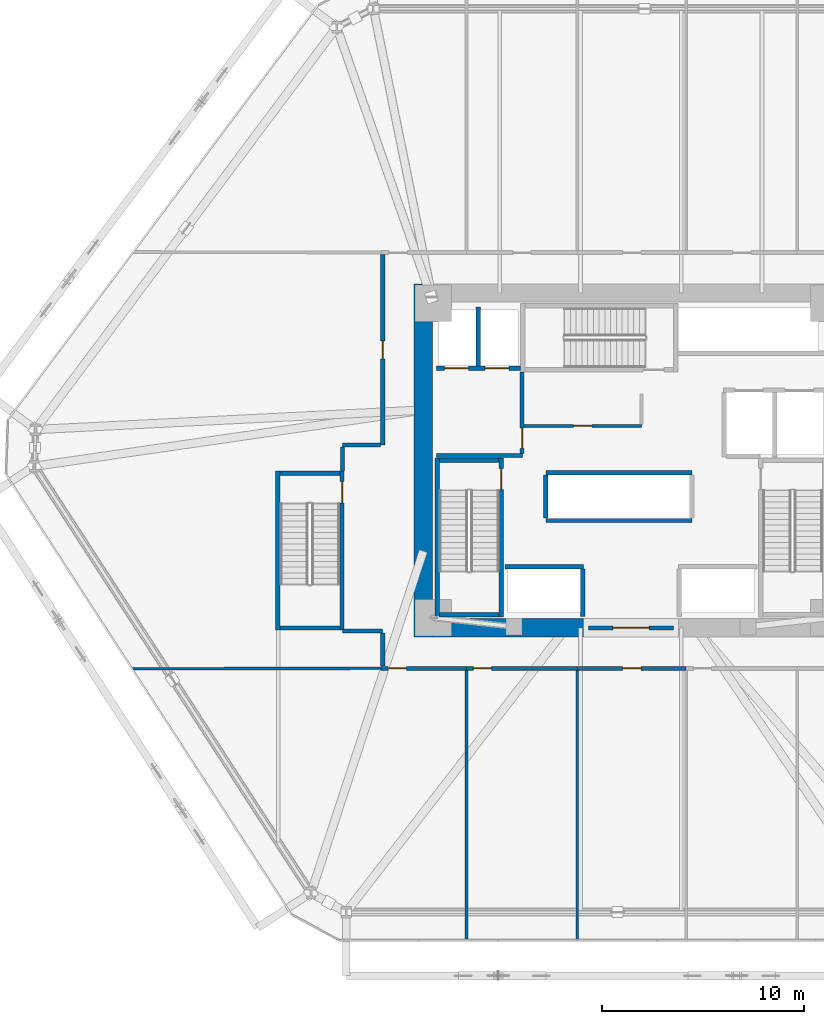
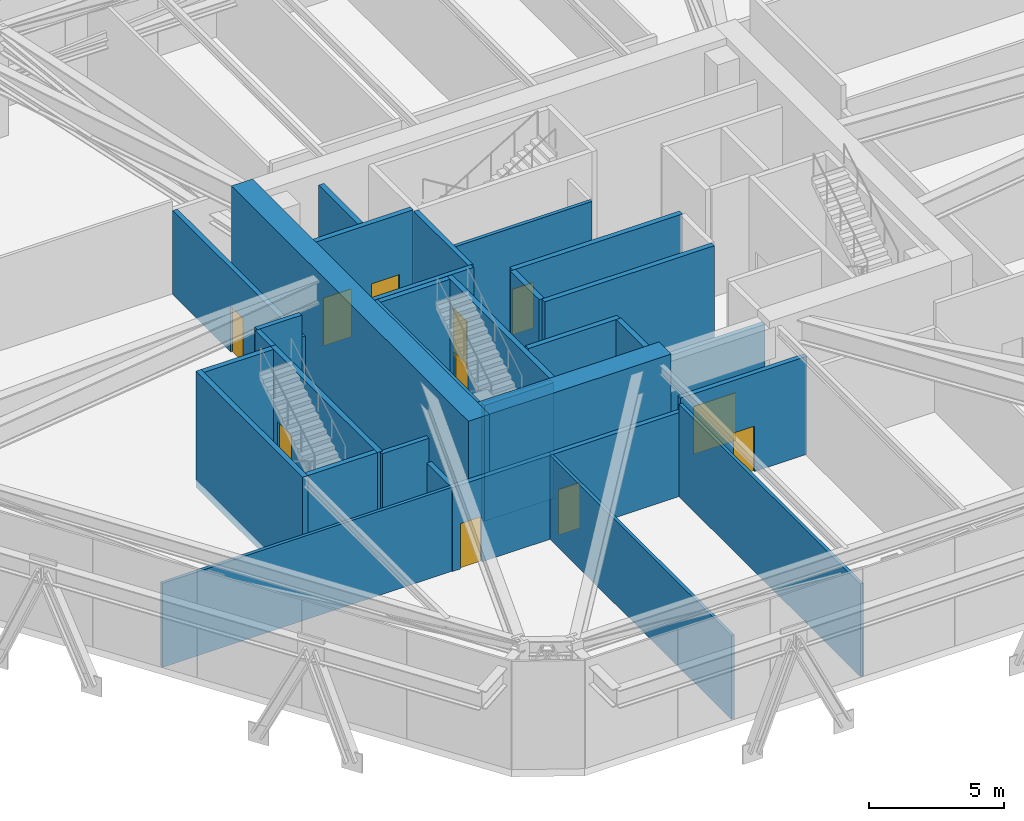
# One storey, part 13 of 16: 32 walls, 11 doors, 11 openings.
"""IFC4 building model written with IfcOpenShell, lengths in metres."""

from ifc_helpers import new_model, si_unit, direction, frame, frame_2d, origin, place, context, subcontext, project, spatial, rectangle, extrude, source, transform, mapped, material, layer, layer_set, type_object, type_shapes, element, fill, save


model = new_model("IFC4")

# Units and contexts
model_context = context("Model", 3, precision=1e-05, world=origin(), true_north=direction((0.0, 1.0)))
body_context = subcontext(model_context, "Body", "Model", "MODEL_VIEW")
ifc_project = project(units=[si_unit("LENGTHUNIT", "METRE"), si_unit("AREAUNIT", "SQUARE_METRE"), si_unit("VOLUMEUNIT", "CUBIC_METRE"), si_unit("PLANEANGLEUNIT", "RADIAN"), si_unit("MASSUNIT", "GRAM", prefix="KILO")], contexts=[model_context])

# Site, building, storey
site_placement = place(None, origin())
site = spatial("IfcSite", under=ifc_project, at=site_placement, CompositionType="ELEMENT")
building_placement = place(site_placement, origin())
building = spatial("IfcBuilding", under=site, at=building_placement, Name="Durnholm Broadcast Tower", CompositionType="ELEMENT")
storey_placement = place(building_placement, frame((0.0, 0.0, 10.39990234375)))
storey = spatial("IfcBuildingStorey", under=building, at=storey_placement, Name="L02", CompositionType="ELEMENT", Elevation=10.39990234375)

# Walls
ifc_material_1 = material(Name="Concrete C70/85", Category="concrete")
ifc_layer_1 = layer(ifc_material_1, 0.89990234375)
ifc_layer_set_1 = layer_set([ifc_layer_1], Name="Concrete C70/85")
wall_type_1 = type_object("IfcWallType", Name="WALL-CW-900", PredefinedType="SHEAR", material=ifc_layer_set_1)
wall_1_placement = place(storey_placement, frame((-10.300048828125, -8.75, 0.0), z_axis=(0.0, 0.0, 1.0), x_axis=(0.0, 1.0, 0.0)))
element("IfcWall", 1, at=wall_1_placement, inside=storey, type_object=wall_type_1, Name="L02 central core shear wall CW-WEST", PredefinedType="SHEAR", context=body_context, shape_type="SweptSolid", body=[
    extrude(rectangle(XDim=17.5, YDim=0.89990234375, at=frame_2d((8.75, 0.0))), origin(), (0.0, 0.0, 1.0), 5.2001953125),
])
wall_2_placement = place(storey_placement, frame((-9.85009765625, -8.300048828125, 0.0), z_axis=(0.0, 0.0, 1.0), x_axis=(1.0, 0.0, 0.0)))
element("IfcWall", 2, at=wall_2_placement, inside=storey, type_object=wall_type_1, Name="L02 central core shear wall CW-S1", PredefinedType="SHEAR", context=body_context, shape_type="SweptSolid", body=[
    extrude(rectangle(XDim=7.75, YDim=0.89990234375, at=frame_2d((3.875, 0.0))), origin(), (0.0, 0.0, 1.0), 5.2001953125),
])

# Wall, opening, door
ifc_material_2 = material(Name="Fire-Rated Gypsum Shaftwall", Category="concrete")
ifc_layer_2 = layer(ifc_material_2, 0.199951171875)
ifc_layer_set_2 = layer_set([ifc_layer_2], Name="Fire-Rated Gypsum Shaftwall")
wall_type_2 = type_object("IfcWallType", Name="WALL-LOB-200", PredefinedType="SOLIDWALL", material=ifc_layer_set_2)
wall_3_placement = place(storey_placement, frame((-2.10009765625, -8.300048828125, 0.0), z_axis=(0.0, 0.0, 1.0), x_axis=(1.0, 0.0, 0.0)))
wall_3 = element("IfcWall", 3, at=wall_3_placement, inside=storey, type_object=wall_type_2, Name="L02 south core lobby fire screen", PredefinedType="SOLIDWALL", context=body_context, shape_type="SweptSolid", body=[
    extrude(rectangle(XDim=4.2001953125, YDim=0.199951171875, at=frame_2d((2.10009765625, 0.0))), origin(), (0.0, 0.0, 1.0), 4.864990234375),
])
opening_1_placement = place(wall_3_placement, frame((1.199951171875, 0.0, 0.0)))
opening_1 = element("IfcOpeningElement", 4, at=opening_1_placement, cuts=wall_3, Name="Opening DP-60", PredefinedType="OPENING", context=body_context, shape_type="SweptSolid", body=[
    extrude(rectangle(XDim=1.800048828125, YDim=2.14990234375, at=frame_2d((0.89990234375, 1.074951171875))), frame((0.0, 0.10986328125, 0.0), z_axis=(0.0, -1.0, 0.0), x_axis=(1.0, 0.0, 0.0)), (0.0, 0.0, 1.0), 0.219970703125),
])
ifc_material_3 = material(Name="Fire-Rated Double Corridor Door", Category="steel")
ifc_layer_3 = layer(ifc_material_3, 0.050048828125)
ifc_layer_set_3 = layer_set([ifc_layer_3], Name="Fire-Rated Double Corridor Door")
door_type_1 = type_object("IfcDoorType", Name="DOOR-PAIR-FD60", OperationType="DOUBLE_DOOR_SINGLE_SWING", PredefinedType="DOOR", material=ifc_layer_set_3)
shared_shape_1 = source(origin(), body_context, "Body", "SweptSolid", [
    extrude(rectangle(XDim=1.800048828125, YDim=2.14990234375, at=frame_2d((0.89990234375, 1.074951171875))), frame((0.0, 0.02490234375, 0.0), z_axis=(0.0, -1.0, 0.0), x_axis=(1.0, 0.0, 0.0)), (0.0, 0.0, 1.0), 0.050048828125),
])
type_shapes(door_type_1, [shared_shape_1])
door_1_placement = place(opening_1_placement, origin())
door_1 = element("IfcDoor", 5, at=door_1_placement, inside=storey, type_object=door_type_1, Name="L02 south core lobby double fire door", OperationType="DOUBLE_DOOR_SINGLE_SWING", OverallHeight=2.14990234375, OverallWidth=1.800048828125, PredefinedType="DOOR", context=body_context, shape_type="MappedRepresentation", body=[
    mapped(shared_shape_1, transform((0.0, 0.0, 0.0), x_axis=(1.0, 0.0, 0.0), y_axis=(0.0, 1.0, 0.0), z_axis=(0.0, 0.0, 1.0), scale=1.0)),
])
fill(opening_1, door_1)

# Wall
wall_4_placement = place(storey_placement, frame((-9.64990234375, 0.25, 0.0), z_axis=(0.0, 0.0, 1.0), x_axis=(1.0, 0.0, 0.0)))
element("IfcWall", 6, at=wall_4_placement, inside=storey, type_object=wall_type_2, Name="L02 Fire Service Access Elevator lobby south wall", PredefinedType="SOLIDWALL", context=body_context, shape_type="SweptSolid", body=[
    extrude(rectangle(XDim=4.27001953125, YDim=0.199951171875, at=frame_2d((2.135009765625, 0.0))), origin(), (0.0, 0.0, 1.0), 4.864990234375),
])

# Wall, opening, door
wall_5_placement = place(storey_placement, frame((-5.39990234375, 0.35400390625, 0.0), z_axis=(0.0, 0.0, 1.0), x_axis=(0.0, 1.0, 0.0)))
wall_5 = element("IfcWall", 7, at=wall_5_placement, inside=storey, type_object=wall_type_2, Name="L02 Fire Service Access Elevator lobby east fire wall", PredefinedType="SOLIDWALL", context=body_context, shape_type="SweptSolid", body=[
    extrude(rectangle(XDim=4.02587890625, YDim=0.199951171875, at=frame_2d((2.012939453125, 0.0))), origin(), (0.0, 0.0, 1.0), 4.864990234375),
])
opening_2_placement = place(wall_5_placement, frame((0.24609375, 0.0, 0.0)))
opening_2 = element("IfcOpeningElement", 8, at=opening_2_placement, cuts=wall_5, Name="Opening DL-60L", PredefinedType="OPENING", context=body_context, shape_type="SweptSolid", body=[
    extrude(rectangle(XDim=1.0, YDim=2.14990234375, at=frame_2d((0.5, 1.074951171875))), frame((0.0, 0.10986328125, 0.0), z_axis=(0.0, -1.0, 0.0), x_axis=(1.0, 0.0, 0.0)), (0.0, 0.0, 1.0), 0.219970703125),
])
ifc_material_4 = material(Name="Fire-Rated Timber/Steel Door", Category="steel")
ifc_layer_4 = layer(ifc_material_4, 0.050048828125)
ifc_layer_set_4 = layer_set([ifc_layer_4], Name="Fire-Rated Timber/Steel Door")
door_type_2 = type_object("IfcDoorType", Name="DOOR-LOB-FD60-L", OperationType="NOTDEFINED", PredefinedType="DOOR", material=ifc_layer_set_4)
shared_shape_2 = source(origin(), body_context, "Body", "SweptSolid", [
    extrude(rectangle(XDim=1.0, YDim=2.14990234375, at=frame_2d((0.5, 1.074951171875))), frame((0.0, 0.02490234375, 0.0), z_axis=(0.0, -1.0, 0.0), x_axis=(1.0, 0.0, 0.0)), (0.0, 0.0, 1.0), 0.050048828125),
])
type_shapes(door_type_2, [shared_shape_2])
door_2_placement = place(opening_2_placement, origin())
door_2 = element("IfcDoor", 9, at=door_2_placement, inside=storey, type_object=door_type_2, Name="L02 Fire Service Access Elevator lobby smoke door", OperationType="SINGLE_SWING_LEFT", OverallHeight=2.14990234375, OverallWidth=1.0, PredefinedType="DOOR", context=body_context, shape_type="MappedRepresentation", body=[
    mapped(shared_shape_2, transform((0.0, 0.0, 0.0), x_axis=(1.0, 0.0, 0.0), y_axis=(0.0, 1.0, 0.0), z_axis=(0.0, 0.0, 1.0), scale=1.0)),
])
fill(opening_2, door_2)

wall_6_placement = place(storey_placement, frame((-12.389892578125, -10.31005859375, 0.0), z_axis=(0.0, 0.0, 1.0), x_axis=(1.0, 0.0, 0.0)))
wall_6 = element("IfcWall", 10, at=wall_6_placement, inside=storey, type_object=wall_type_2, Name="L02 Mechanical Plant Room - Broadcast Cooling Pump Station corridor partition", PredefinedType="SOLIDWALL", context=body_context, shape_type="SweptSolid", body=[
    extrude(rectangle(XDim=4.22998046875, YDim=0.199951171875, at=frame_2d((2.114990234375, 0.0))), origin(), (0.0, 0.0, 1.0), 3.787109375),
])
opening_3_placement = place(wall_6_placement, frame((0.35009765625, 0.0, 0.0)))
opening_3 = element("IfcOpeningElement", 11, at=opening_3_placement, cuts=wall_6, Name="Opening DC-60L", PredefinedType="OPENING", context=body_context, shape_type="SweptSolid", body=[
    extrude(rectangle(XDim=0.89990234375, YDim=2.050048828125, at=frame_2d((0.449951171875, 1.02490234375))), frame((0.0, 0.10986328125, 0.0), z_axis=(0.0, -1.0, 0.0), x_axis=(1.0, 0.0, 0.0)), (0.0, 0.0, 1.0), 0.219970703125),
])
ifc_material_5 = material(Name="Fire-Rated Core Service Door", Category="steel")
ifc_layer_5 = layer(ifc_material_5, 0.050048828125)
ifc_layer_set_5 = layer_set([ifc_layer_5], Name="Fire-Rated Core Service Door")
door_type_3 = type_object("IfcDoorType", Name="DOOR-CORE-FD60-L", OperationType="NOTDEFINED", PredefinedType="DOOR", material=ifc_layer_set_5)
shared_shape_3 = source(origin(), body_context, "Body", "SweptSolid", [
    extrude(rectangle(XDim=0.89990234375, YDim=2.050048828125, at=frame_2d((0.449951171875, 1.02490234375))), frame((0.0, 0.02490234375, 0.0), z_axis=(0.0, -1.0, 0.0), x_axis=(1.0, 0.0, 0.0)), (0.0, 0.0, 1.0), 0.050048828125),
])
type_shapes(door_type_3, [shared_shape_3])
door_3_placement = place(opening_3_placement, origin())
door_3 = element("IfcDoor", 12, at=door_3_placement, inside=storey, type_object=door_type_3, Name="L02 Mechanical Plant Room - Broadcast Cooling Pump Station entrance door", OperationType="SINGLE_SWING_LEFT", OverallHeight=2.050048828125, OverallWidth=0.89990234375, PredefinedType="DOOR", context=body_context, shape_type="MappedRepresentation", body=[
    mapped(shared_shape_3, transform((0.0, 0.0, 0.0), x_axis=(1.0, 0.0, 0.0), y_axis=(0.0, 1.0, 0.0), z_axis=(0.0, 0.0, 1.0), scale=1.0)),
])
fill(opening_3, door_3)

wall_7_placement = place(storey_placement, frame((-8.159912109375, -10.31005859375, 0.0), z_axis=(0.0, 0.0, 1.0), x_axis=(1.0, 0.0, 0.0)))
wall_7 = element("IfcWall", 13, at=wall_7_placement, inside=storey, type_object=wall_type_2, Name="L02 Mechanical Plant Room - Broadcast UPS Battery Plant corridor partition", PredefinedType="SOLIDWALL", context=body_context, shape_type="SweptSolid", body=[
    extrude(rectangle(XDim=5.5, YDim=0.199951171875, at=frame_2d((2.75, 0.0))), origin(), (0.0, 0.0, 1.0), 3.787109375),
])
opening_4_placement = place(wall_7_placement, frame((0.35009765625, 0.0, 0.0)))
opening_4 = element("IfcOpeningElement", 14, at=opening_4_placement, cuts=wall_7, Name="Opening DC-60R", PredefinedType="OPENING", context=body_context, shape_type="SweptSolid", body=[
    extrude(rectangle(XDim=0.89990234375, YDim=2.050048828125, at=frame_2d((0.449951171875, 1.02490234375))), frame((0.0, 0.10986328125, 0.0), z_axis=(0.0, -1.0, 0.0), x_axis=(1.0, 0.0, 0.0)), (0.0, 0.0, 1.0), 0.219970703125),
])
ifc_layer_6 = layer(ifc_material_5, 0.050048828125)
ifc_layer_set_6 = layer_set([ifc_layer_6], Name="Fire-Rated Core Service Door")
door_type_4 = type_object("IfcDoorType", Name="DOOR-CORE-FD60-R", OperationType="NOTDEFINED", PredefinedType="DOOR", material=ifc_layer_set_6)
shared_shape_4 = source(origin(), body_context, "Body", "SweptSolid", [
    extrude(rectangle(XDim=0.89990234375, YDim=2.050048828125, at=frame_2d((0.449951171875, 1.02490234375))), frame((0.0, 0.02490234375, 0.0), z_axis=(0.0, -1.0, 0.0), x_axis=(1.0, 0.0, 0.0)), (0.0, 0.0, 1.0), 0.050048828125),
])
type_shapes(door_type_4, [shared_shape_4])
door_4_placement = place(opening_4_placement, origin())
door_4 = element("IfcDoor", 15, at=door_4_placement, inside=storey, type_object=door_type_4, Name="L02 Mechanical Plant Room - Broadcast UPS Battery Plant entrance door", OperationType="SINGLE_SWING_RIGHT", OverallHeight=2.050048828125, OverallWidth=0.89990234375, PredefinedType="DOOR", context=body_context, shape_type="MappedRepresentation", body=[
    mapped(shared_shape_4, transform((0.0, 0.0, 0.0), x_axis=(1.0, 0.0, 0.0), y_axis=(0.0, 1.0, 0.0), z_axis=(0.0, 0.0, 1.0), scale=1.0)),
])
fill(opening_4, door_4)

wall_8_placement = place(storey_placement, frame((-2.659912109375, -10.31005859375, 0.0), z_axis=(0.0, 0.0, 1.0), x_axis=(1.0, 0.0, 0.0)))
wall_8 = element("IfcWall", 16, at=wall_8_placement, inside=storey, type_object=wall_type_2, Name="L02 Mechanical Plant Room - Stairwell Pressurization Fan corridor partition", PredefinedType="SOLIDWALL", context=body_context, shape_type="SweptSolid", body=[
    extrude(rectangle(XDim=5.39990234375, YDim=0.199951171875, at=frame_2d((2.699951171875, 0.0))), origin(), (0.0, 0.0, 1.0), 4.417724609375),
])
opening_5_placement = place(wall_8_placement, frame((2.25, 0.0, 0.0)))
opening_5 = element("IfcOpeningElement", 17, at=opening_5_placement, cuts=wall_8, Name="Opening DC-60L", PredefinedType="OPENING", context=body_context, shape_type="SweptSolid", body=[
    extrude(rectangle(XDim=0.89990234375, YDim=2.050048828125, at=frame_2d((0.449951171875, 1.02490234375))), frame((0.0, 0.10986328125, 0.0), z_axis=(0.0, -1.0, 0.0), x_axis=(1.0, 0.0, 0.0)), (0.0, 0.0, 1.0), 0.219970703125),
])
door_5_placement = place(opening_5_placement, origin())
door_5 = element("IfcDoor", 18, at=door_5_placement, inside=storey, type_object=door_type_3, Name="L02 Mechanical Plant Room - Stairwell Pressurization Fan entrance door", OperationType="SINGLE_SWING_LEFT", OverallHeight=2.050048828125, OverallWidth=0.89990234375, PredefinedType="DOOR", context=body_context, shape_type="MappedRepresentation", body=[
    mapped(shared_shape_3, transform((0.0, 0.0, 0.0), x_axis=(1.0, 0.0, 0.0), y_axis=(0.0, 1.0, 0.0), z_axis=(0.0, 0.0, 1.0), scale=1.0)),
])
fill(opening_5, door_5)

wall_9_placement = place(storey_placement, frame((-12.31005859375, 10.2060546875, 0.0), z_axis=(0.0, 0.0, 1.0), x_axis=(0.0, -1.0, 0.0)))
wall_9 = element("IfcWall", 19, at=wall_9_placement, inside=storey, type_object=wall_type_2, Name="L02 Mechanical Plant Room - Electrical Transformer and Switchgear corridor partition", PredefinedType="SOLIDWALL", context=body_context, shape_type="SweptSolid", body=[
    extrude(rectangle(XDim=9.446044921875, YDim=0.199951171875, at=frame_2d((4.72314453125, 0.0))), origin(), (0.0, 0.0, 1.0), 3.787109375),
])
opening_6_placement = place(wall_9_placement, frame((4.27294921875, 0.0, 0.0)))
opening_6 = element("IfcOpeningElement", 20, at=opening_6_placement, cuts=wall_9, Name="Opening DC-60L", PredefinedType="OPENING", context=body_context, shape_type="SweptSolid", body=[
    extrude(rectangle(XDim=0.89990234375, YDim=2.050048828125, at=frame_2d((0.449951171875, 1.02490234375))), frame((0.0, 0.10986328125, 0.0), z_axis=(0.0, -1.0, 0.0), x_axis=(1.0, 0.0, 0.0)), (0.0, 0.0, 1.0), 0.219970703125),
])
door_6_placement = place(opening_6_placement, origin())
door_6 = element("IfcDoor", 21, at=door_6_placement, inside=storey, type_object=door_type_3, Name="L02 Mechanical Plant Room - Electrical Transformer and Switchgear entrance door", OperationType="SINGLE_SWING_LEFT", OverallHeight=2.050048828125, OverallWidth=0.89990234375, PredefinedType="DOOR", context=body_context, shape_type="MappedRepresentation", body=[
    mapped(shared_shape_3, transform((0.0, 0.0, 0.0), x_axis=(1.0, 0.0, 0.0), y_axis=(0.0, 1.0, 0.0), z_axis=(0.0, 0.0, 1.0), scale=1.0)),
])
fill(opening_6, door_6)

# Walls
wall_10_placement = place(storey_placement, frame((-12.4140625, 0.760009765625, 0.0), z_axis=(0.0, 0.0, 1.0), x_axis=(-1.0, 0.0, 0.0)))
element("IfcWall", 22, at=wall_10_placement, inside=storey, type_object=wall_type_2, Name="L02 Mechanical Plant Room - Electrical Transformer and Switchgear corridor partition", PredefinedType="SOLIDWALL", context=body_context, shape_type="SweptSolid", body=[
    extrude(rectangle(XDim=1.89599609375, YDim=0.199951171875, at=frame_2d((0.947998046875, 0.0))), origin(), (0.0, 0.0, 1.0), 4.864990234375),
])
wall_11_placement = place(storey_placement, frame((-14.31005859375, -8.4599609375, 0.0), z_axis=(0.0, 0.0, 1.0), x_axis=(1.0, 0.0, 0.0)))
element("IfcWall", 23, at=wall_11_placement, inside=storey, type_object=wall_type_2, Name="L02 Mechanical Plant Room - Electrical Transformer and Switchgear corridor partition", PredefinedType="SOLIDWALL", context=body_context, shape_type="SweptSolid", body=[
    extrude(rectangle(XDim=2.0, YDim=0.199951171875, at=frame_2d((1.0, 0.0))), origin(), (0.0, 0.0, 1.0), 4.864990234375),
])
wall_12_placement = place(storey_placement, frame((-12.31005859375, -8.56396484375, 0.0), z_axis=(0.0, 0.0, 1.0), x_axis=(0.0, -1.0, 0.0)))
element("IfcWall", 24, at=wall_12_placement, inside=storey, type_object=wall_type_2, Name="L02 Mechanical Plant Room - Electrical Transformer and Switchgear corridor partition", PredefinedType="SOLIDWALL", context=body_context, shape_type="SweptSolid", body=[
    extrude(rectangle(XDim=1.64208984375, YDim=0.199951171875, at=frame_2d((0.821044921875, 0.0))), origin(), (0.0, 0.0, 1.0), 3.787109375),
])
wall_13_placement = place(storey_placement, frame((-14.31005859375, 0.656005859375, 0.0), z_axis=(0.0, 0.0, 1.0), x_axis=(0.0, -1.0, 0.0)))
element("IfcWall", 25, at=wall_13_placement, inside=storey, type_object=wall_type_2, Name="L02 Mechanical Plant Room - Electrical Transformer and Switchgear corridor partition", PredefinedType="SOLIDWALL", context=body_context, shape_type="SweptSolid", body=[
    extrude(rectangle(XDim=1.18603515625, YDim=0.199951171875, at=frame_2d((0.593017578125, 0.0))), origin(), (0.0, 0.0, 1.0), 4.864990234375),
])
ifc_material_6 = material(Name="Gypsum Metal Stud Partition", Category="concrete")
ifc_layer_7 = layer(ifc_material_6, 0.135009765625)
ifc_layer_set_7 = layer_set([ifc_layer_7], Name="Gypsum Metal Stud Partition")
wall_type_3 = type_object("IfcWallType", Name="WALL-PART-135", PredefinedType="PARTITIONING", material=ifc_layer_set_7)
wall_14_placement = place(storey_placement, frame((-8.159912109375, -10.4140625, 0.0), z_axis=(0.0, 0.0, 1.0), x_axis=(0.0, -1.0, 0.0)))
element("IfcWall", 26, at=wall_14_placement, inside=storey, type_object=wall_type_3, Name="L02 room dividing partition 7.8", PredefinedType="PARTITIONING", context=body_context, shape_type="SweptSolid", body=[
    extrude(rectangle(XDim=13.385986328125, YDim=0.135009765625, at=frame_2d((6.69287109375, 0.0))), origin(), (0.0, 0.0, 1.0), 3.787109375),
])
wall_15_placement = place(storey_placement, frame((-24.74609375, -10.331787109375, 0.0), z_axis=(0.0, 0.0, 1.0), x_axis=(0.999998453823, 0.001758508277, 0.0)))
element("IfcWall", 27, at=wall_15_placement, inside=storey, type_object=wall_type_3, Name="L02 room dividing partition 7.15", PredefinedType="PARTITIONING", context=body_context, shape_type="SweptSolid", body=[
    extrude(rectangle(XDim=12.356201171875, YDim=0.135009765625, at=frame_2d((6.17822265625, 0.0))), origin(), (0.0, 0.0, 1.0), 3.787109375),
])
wall_16_placement = place(storey_placement, frame((-2.659912109375, -10.4140625, 0.0), z_axis=(0.0, 0.0, 1.0), x_axis=(0.0, -1.0, 0.0)))
element("IfcWall", 28, at=wall_16_placement, inside=storey, type_object=wall_type_3, Name="L02 room dividing partition 8.9", PredefinedType="PARTITIONING", context=body_context, shape_type="SweptSolid", body=[
    extrude(rectangle(XDim=13.385986328125, YDim=0.135009765625, at=frame_2d((6.69287109375, 0.0))), origin(), (0.0, 0.0, 1.0), 4.174072265625),
])

# Wall, opening, door
ifc_material_7 = material(Name="Acoustic Gypsum Stud Partition", Category="concrete")
ifc_layer_8 = layer(ifc_material_7, 0.14990234375)
ifc_layer_set_8 = layer_set([ifc_layer_8], Name="Acoustic Gypsum Stud Partition")
wall_type_4 = type_object("IfcWallType", Name="WALL-PART-150", PredefinedType="PARTITIONING", material=ifc_layer_set_8)
wall_17_placement = place(storey_placement, frame((0.52001953125, 1.7099609375, 0.0), z_axis=(0.0, 0.0, 1.0), x_axis=(-1.0, 0.0, 0.0)))
wall_17 = element("IfcWall", 29, at=wall_17_placement, inside=storey, type_object=wall_type_4, Name="L02 Core Housekeeping Room corridor partition", PredefinedType="PARTITIONING", context=body_context, shape_type="SweptSolid", body=[
    extrude(rectangle(XDim=5.81591796875, YDim=0.14990234375, at=frame_2d((2.907958984375, 0.0))), origin(), (0.0, 0.0, 1.0), 4.864990234375),
])
opening_7_placement = place(wall_17_placement, frame((2.4580078125, 0.0, 0.0)))
opening_7 = element("IfcOpeningElement", 30, at=opening_7_placement, cuts=wall_17, Name="Opening DC-60L", PredefinedType="OPENING", context=body_context, shape_type="SweptSolid", body=[
    extrude(rectangle(XDim=0.89990234375, YDim=2.050048828125, at=frame_2d((0.449951171875, 1.02490234375))), frame((0.0, 0.0849609375, 0.0), z_axis=(0.0, -1.0, 0.0), x_axis=(1.0, 0.0, 0.0)), (0.0, 0.0, 1.0), 0.169921875),
])
door_7_placement = place(opening_7_placement, origin())
door_7 = element("IfcDoor", 31, at=door_7_placement, inside=storey, type_object=door_type_3, Name="L02 Core Housekeeping Room entrance door", OperationType="SINGLE_SWING_LEFT", OverallHeight=2.050048828125, OverallWidth=0.89990234375, PredefinedType="DOOR", context=body_context, shape_type="MappedRepresentation", body=[
    mapped(shared_shape_3, transform((0.0, 0.0, 0.0), x_axis=(1.0, 0.0, 0.0), y_axis=(0.0, 1.0, 0.0), z_axis=(0.0, 0.0, 1.0), scale=1.0)),
])
fill(opening_7, door_7)

# Wall, openings, doors
ifc_material_8 = material(Name="Concrete Blockwork C30/37", Category="masonry")
ifc_layer_9 = layer(ifc_material_8, 0.219970703125)
ifc_layer_set_9 = layer_set([ifc_layer_9], Name="Concrete Blockwork C30/37")
wall_type_5 = type_object("IfcWallType", Name="WALL-SHAFT-220", PredefinedType="SOLIDWALL", material=ifc_layer_set_9)
wall_18_placement = place(storey_placement, frame((-9.64990234375, 4.580078125, 0.0), z_axis=(0.0, 0.0, 1.0), x_axis=(1.0, 0.0, 0.0)))
wall_18 = element("IfcWall", 32, at=wall_18_placement, inside=storey, type_object=wall_type_5, Name="L02 FSAE hoistway front fire wall", PredefinedType="SOLIDWALL", context=body_context, shape_type="SweptSolid", body=[
    extrude(rectangle(XDim=4.1748046875, YDim=0.219970703125, at=frame_2d((2.08740234375, 0.0))), origin(), (0.0, 0.0, 1.0), 4.864990234375),
])
opening_8_placement = place(wall_18_placement, frame((0.39990234375, 0.0, 0.0)))
opening_8 = element("IfcOpeningElement", 33, at=opening_8_placement, cuts=wall_18, Name="Opening LD-FSAE-2", PredefinedType="OPENING", context=body_context, shape_type="SweptSolid", body=[
    extrude(rectangle(XDim=1.199951171875, YDim=2.14990234375, at=frame_2d((0.60009765625, 1.074951171875))), frame((0.0, 0.1201171875, 0.0), z_axis=(0.0, -1.0, 0.0), x_axis=(1.0, 0.0, 0.0)), (0.0, 0.0, 1.0), 0.239990234375),
])
opening_9_placement = place(wall_18_placement, frame((2.39990234375, 0.0, 0.0)))
opening_9 = element("IfcOpeningElement", 34, at=opening_9_placement, cuts=wall_18, Name="Opening LD-FSAE-1", PredefinedType="OPENING", context=body_context, shape_type="SweptSolid", body=[
    extrude(rectangle(XDim=1.199951171875, YDim=2.14990234375, at=frame_2d((0.60009765625, 1.074951171875))), frame((0.0, 0.1201171875, 0.0), z_axis=(0.0, -1.0, 0.0), x_axis=(1.0, 0.0, 0.0)), (0.0, 0.0, 1.0), 0.239990234375),
])
ifc_material_9 = material(Name="Fire Service Access Sliding Landing Door", Category="steel")
ifc_layer_10 = layer(ifc_material_9, 0.050048828125)
ifc_layer_set_10 = layer_set([ifc_layer_10], Name="Fire Service Access Sliding Landing Door")
door_type_5 = type_object("IfcDoorType", Name="DOOR-LIFT-FSAE", OperationType="DOUBLE_DOOR_SLIDING", PredefinedType="DOOR", material=ifc_layer_set_10)
shared_shape_5 = source(origin(), body_context, "Body", "SweptSolid", [
    extrude(rectangle(XDim=1.199951171875, YDim=2.14990234375, at=frame_2d((0.60009765625, 1.074951171875))), frame((0.0, 0.02490234375, 0.0), z_axis=(0.0, -1.0, 0.0), x_axis=(1.0, 0.0, 0.0)), (0.0, 0.0, 1.0), 0.050048828125),
])
type_shapes(door_type_5, [shared_shape_5])
door_8_placement = place(opening_8_placement, origin())
door_8 = element("IfcDoor", 35, at=door_8_placement, inside=storey, type_object=door_type_5, Name="L02 Fire Service Access Elevator FSAE-2 sliding landing door", OperationType="DOUBLE_DOOR_SLIDING", OverallHeight=2.14990234375, OverallWidth=1.199951171875, PredefinedType="DOOR", context=body_context, shape_type="MappedRepresentation", body=[
    mapped(shared_shape_5, transform((0.0, 0.0, 0.0), x_axis=(1.0, 0.0, 0.0), y_axis=(0.0, 1.0, 0.0), z_axis=(0.0, 0.0, 1.0), scale=1.0)),
])
fill(opening_8, door_8)
door_9_placement = place(opening_9_placement, origin())
door_9 = element("IfcDoor", 36, at=door_9_placement, inside=storey, type_object=door_type_5, Name="L02 Fire Service Access Elevator FSAE-1 sliding landing door", OperationType="DOUBLE_DOOR_SLIDING", OverallHeight=2.14990234375, OverallWidth=1.199951171875, PredefinedType="DOOR", context=body_context, shape_type="MappedRepresentation", body=[
    mapped(shared_shape_5, transform((0.0, 0.0, 0.0), x_axis=(1.0, 0.0, 0.0), y_axis=(0.0, 1.0, 0.0), z_axis=(0.0, 0.0, 1.0), scale=1.0)),
])
fill(opening_9, door_9)

# Walls
wall_19_placement = place(storey_placement, frame((-7.580078125, 4.694091796875, 0.0), z_axis=(0.0, 0.0, 1.0), x_axis=(0.0, 1.0, 0.0)))
element("IfcWall", 37, at=wall_19_placement, inside=storey, type_object=wall_type_5, Name="L02 FSAE shaft divider wall", PredefinedType="SOLIDWALL", context=body_context, shape_type="SweptSolid", body=[
    extrude(rectangle(XDim=2.906005859375, YDim=0.219970703125, at=frame_2d((1.453125, 0.0))), origin(), (0.0, 0.0, 1.0), 4.864990234375),
])
wall_20_placement = place(storey_placement, frame((-6.25, -5.280029296875, 0.0), z_axis=(0.0, 0.0, 1.0), x_axis=(1.0, 0.0, 0.0)))
element("IfcWall", 38, at=wall_20_placement, inside=storey, type_object=wall_type_5, Name="L02 low-rise bank P1 west front wall", PredefinedType="SOLIDWALL", context=body_context, shape_type="SweptSolid", body=[
    extrude(rectangle(XDim=3.89990234375, YDim=0.219970703125, at=frame_2d((1.949951171875, 0.0))), origin(), (0.0, 0.0, 1.0), 4.864990234375),
])
wall_21_placement = place(storey_placement, frame((-2.39990234375, -7.75, 0.0), z_axis=(0.0, 0.0, 1.0), x_axis=(0.0, 1.0, 0.0)))
element("IfcWall", 39, at=wall_21_placement, inside=storey, type_object=wall_type_5, Name="L02 low-rise bank P1 west mouth wall", PredefinedType="SOLIDWALL", context=body_context, shape_type="SweptSolid", body=[
    extrude(rectangle(XDim=2.35595703125, YDim=0.219970703125, at=frame_2d((1.177978515625, 0.0))), origin(), (0.0, 0.0, 1.0), 4.864990234375),
])
for number, where, z_axis, x_axis, name in (
    (40, (-4.219970703125, -2.97998046875, 0.0), (0.0, 0.0, 1.0), (1.0, 0.0, 0.0), "L02 mid-rise bank P2 south front wall"),
    (41, (-4.219970703125, -0.6201171875, 0.0), (0.0, 0.0, 1.0), (1.0, 0.0, 0.0), "L02 mid-rise bank P2 north shaft wall"),
):
    element("IfcWall", number, at=place(storey_placement, frame(where, z_axis=z_axis, x_axis=x_axis)), inside=storey, type_object=wall_type_5, Name=name, PredefinedType="SOLIDWALL", context=body_context, shape_type="SweptSolid", body=[
        extrude(rectangle(XDim=7.239990234375, YDim=0.219970703125, at=frame_2d((3.6201171875, 0.0))), origin(), (0.0, 0.0, 1.0), 4.864990234375),
    ])
wall_22_placement = place(storey_placement, frame((-4.219970703125, -2.865966796875, 0.0), z_axis=(0.0, 0.0, 1.0), x_axis=(0.0, 1.0, 0.0)))
element("IfcWall", 42, at=wall_22_placement, inside=storey, type_object=wall_type_5, Name="L02 mid-rise bank P2 west shaft wall", PredefinedType="SOLIDWALL", context=body_context, shape_type="SweptSolid", body=[
    extrude(rectangle(XDim=2.132080078125, YDim=0.219970703125, at=frame_2d((1.06591796875, 0.0))), origin(), (0.0, 0.0, 1.0), 4.864990234375),
])

# Wall, opening, door
ifc_material_10 = material(Name="Concrete C50/60", Category="concrete")
ifc_layer_11 = layer(ifc_material_10, 0.219970703125)
ifc_layer_set_11 = layer_set([ifc_layer_11], Name="Concrete C50/60")
wall_type_6 = type_object("IfcWallType", Name="WALL-SW-220", PredefinedType="SHEAR", material=ifc_layer_set_11)
wall_23_placement = place(storey_placement, frame((-6.429931640625, -7.77001953125, -0.349853515625), z_axis=(0.0, 0.0, 1.0), x_axis=(0.0, 1.0, 0.0)))
wall_23 = element("IfcWall", 43, at=wall_23_placement, inside=storey, type_object=wall_type_6, Name="L02 stair ST-1 structural shaft wall E", PredefinedType="SHEAR", context=body_context, shape_type="SweptSolid", body=[
    extrude(rectangle(XDim=7.89013671875, YDim=0.219970703125, at=frame_2d((3.945068359375, 0.0))), origin(), (0.0, 0.0, 1.0), 5.22998046875),
])
opening_10_placement = place(wall_23_placement, frame((6.320068359375, 0.0, 0.0)))
opening_10 = element("IfcOpeningElement", 44, at=opening_10_placement, cuts=wall_23, Name="Opening DS-90L", PredefinedType="OPENING", context=body_context, shape_type="SweptSolid", body=[
    extrude(rectangle(XDim=1.050048828125, YDim=2.14990234375, at=frame_2d((0.52490234375, 1.074951171875))), frame((0.0, 0.1201171875, 0.0), z_axis=(0.0, -1.0, 0.0), x_axis=(1.0, 0.0, 0.0)), (0.0, 0.0, 1.0), 0.239990234375),
])
ifc_material_11 = material(Name="Fire-Rated Steel Door", Category="steel")
ifc_layer_12 = layer(ifc_material_11, 0.050048828125)
ifc_layer_set_12 = layer_set([ifc_layer_12], Name="Fire-Rated Steel Door")
door_type_6 = type_object("IfcDoorType", Name="DOOR-ST-FD90-L", OperationType="NOTDEFINED", PredefinedType="DOOR", material=ifc_layer_set_12)
shared_shape_6 = source(origin(), body_context, "Body", "SweptSolid", [
    extrude(rectangle(XDim=1.050048828125, YDim=2.14990234375, at=frame_2d((0.52490234375, 1.074951171875))), frame((0.0, 0.02490234375, 0.0), z_axis=(0.0, -1.0, 0.0), x_axis=(1.0, 0.0, 0.0)), (0.0, 0.0, 1.0), 0.050048828125),
])
type_shapes(door_type_6, [shared_shape_6])
door_10_placement = place(opening_10_placement, origin())
door_10 = element("IfcDoor", 45, at=door_10_placement, inside=storey, type_object=door_type_6, Name="L02 exit stair ST-1 fire door", OperationType="SINGLE_SWING_LEFT", OverallHeight=2.14990234375, OverallWidth=1.050048828125, PredefinedType="DOOR", context=body_context, shape_type="MappedRepresentation", body=[
    mapped(shared_shape_6, transform((0.0, 0.0, 0.0), x_axis=(1.0, 0.0, 0.0), y_axis=(0.0, 1.0, 0.0), z_axis=(0.0, 0.0, 1.0), scale=1.0)),
])
fill(opening_10, door_10)

# Walls
wall_24_placement = place(storey_placement, frame((-9.610107421875, 0.1201171875, -0.349853515625), z_axis=(0.0, 0.0, 1.0), x_axis=(0.0, -1.0, 0.0)))
element("IfcWall", 46, at=wall_24_placement, inside=storey, type_object=wall_type_6, Name="L02 stair ST-1 structural shaft wall W", PredefinedType="SHEAR", context=body_context, shape_type="SweptSolid", body=[
    extrude(rectangle(XDim=7.89013671875, YDim=0.219970703125, at=frame_2d((3.945068359375, 0.0))), origin(), (0.0, 0.0, 1.0), 5.22998046875),
])
for number, where, z_axis, x_axis, name in (
    (47, (-9.5, -7.659912109375, -0.349853515625), (0.0, 0.0, 1.0), (1.0, 0.0, 0.0), "L02 stair ST-1 structural shaft wall S"),
    (48, (-6.5400390625, 0.010009765625, -0.349853515625), (0.0, 0.0, 1.0), (-1.0, 0.0, 0.0), "L02 stair ST-1 structural shaft wall N"),
):
    element("IfcWall", number, at=place(storey_placement, frame(where, z_axis=z_axis, x_axis=x_axis)), inside=storey, type_object=wall_type_6, Name=name, PredefinedType="SHEAR", context=body_context, shape_type="SweptSolid", body=[
        extrude(rectangle(XDim=2.9599609375, YDim=0.219970703125, at=frame_2d((1.47998046875, 0.0))), origin(), (0.0, 0.0, 1.0), 5.22998046875),
    ])

# Wall, opening, door
wall_25_placement = place(storey_placement, frame((-14.330078125, -8.419921875, -0.349853515625), z_axis=(0.0, 0.0, 1.0), x_axis=(0.0, 1.0, 0.0)))
wall_25 = element("IfcWall", 49, at=wall_25_placement, inside=storey, type_object=wall_type_6, Name="L02 stair ST-4 structural shaft wall E", PredefinedType="SHEAR", context=body_context, shape_type="SweptSolid", body=[
    extrude(rectangle(XDim=7.889892578125, YDim=0.219970703125, at=frame_2d((3.94482421875, 0.0))), origin(), (0.0, 0.0, 1.0), 5.22998046875),
])
opening_11_placement = place(wall_25_placement, frame((6.320068359375, 0.0, 0.0)))
opening_11 = element("IfcOpeningElement", 50, at=opening_11_placement, cuts=wall_25, Name="Opening DS-90R", PredefinedType="OPENING", context=body_context, shape_type="SweptSolid", body=[
    extrude(rectangle(XDim=1.050048828125, YDim=2.14990234375, at=frame_2d((0.52490234375, 1.074951171875))), frame((0.0, 0.1201171875, 0.0), z_axis=(0.0, -1.0, 0.0), x_axis=(1.0, 0.0, 0.0)), (0.0, 0.0, 1.0), 0.239990234375),
])
ifc_layer_13 = layer(ifc_material_11, 0.050048828125)
ifc_layer_set_13 = layer_set([ifc_layer_13], Name="Fire-Rated Steel Door")
door_type_7 = type_object("IfcDoorType", Name="DOOR-ST-FD90-R", OperationType="NOTDEFINED", PredefinedType="DOOR", material=ifc_layer_set_13)
shared_shape_7 = source(origin(), body_context, "Body", "SweptSolid", [
    extrude(rectangle(XDim=1.050048828125, YDim=2.14990234375, at=frame_2d((0.52490234375, 1.074951171875))), frame((0.0, 0.02490234375, 0.0), z_axis=(0.0, -1.0, 0.0), x_axis=(1.0, 0.0, 0.0)), (0.0, 0.0, 1.0), 0.050048828125),
])
type_shapes(door_type_7, [shared_shape_7])
door_11_placement = place(opening_11_placement, origin())
door_11 = element("IfcDoor", 51, at=door_11_placement, inside=storey, type_object=door_type_7, Name="L02 podium stair ST-4 fire door", OperationType="SINGLE_SWING_RIGHT", OverallHeight=2.14990234375, OverallWidth=1.050048828125, PredefinedType="DOOR", context=body_context, shape_type="MappedRepresentation", body=[
    mapped(shared_shape_7, transform((0.0, 0.0, 0.0), x_axis=(1.0, 0.0, 0.0), y_axis=(0.0, 1.0, 0.0), z_axis=(0.0, 0.0, 1.0), scale=1.0)),
])
fill(opening_11, door_11)

# Walls
wall_26_placement = place(storey_placement, frame((-17.510009765625, -0.530029296875, -0.349853515625), z_axis=(0.0, 0.0, 1.0), x_axis=(0.0, -1.0, 0.0)))
element("IfcWall", 52, at=wall_26_placement, inside=storey, type_object=wall_type_6, Name="L02 stair ST-4 structural shaft wall W", PredefinedType="SHEAR", context=body_context, shape_type="SweptSolid", body=[
    extrude(rectangle(XDim=7.889892578125, YDim=0.219970703125, at=frame_2d((3.94482421875, 0.0))), origin(), (0.0, 0.0, 1.0), 5.22998046875),
])
for number, where, z_axis, x_axis, name in (
    (53, (-17.39990234375, -8.31005859375, -0.349853515625), (0.0, 0.0, 1.0), (1.0, 0.0, 0.0), "L02 stair ST-4 structural shaft wall S"),
    (54, (-14.43994140625, -0.639892578125, -0.349853515625), (0.0, 0.0, 1.0), (-1.0, 0.0, 0.0), "L02 stair ST-4 structural shaft wall N"),
):
    element("IfcWall", number, at=place(storey_placement, frame(where, z_axis=z_axis, x_axis=x_axis)), inside=storey, type_object=wall_type_6, Name=name, PredefinedType="SHEAR", context=body_context, shape_type="SweptSolid", body=[
        extrude(rectangle(XDim=2.9599609375, YDim=0.219970703125, at=frame_2d((1.47998046875, 0.0))), origin(), (0.0, 0.0, 1.0), 5.22998046875),
    ])

save(model, "model.ifc")
